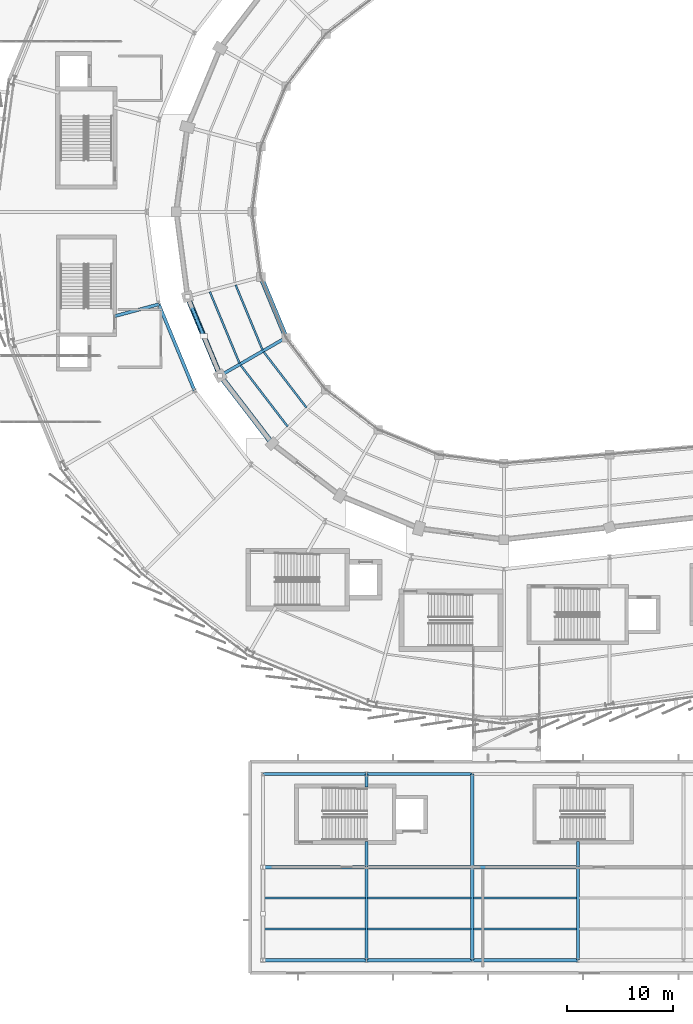
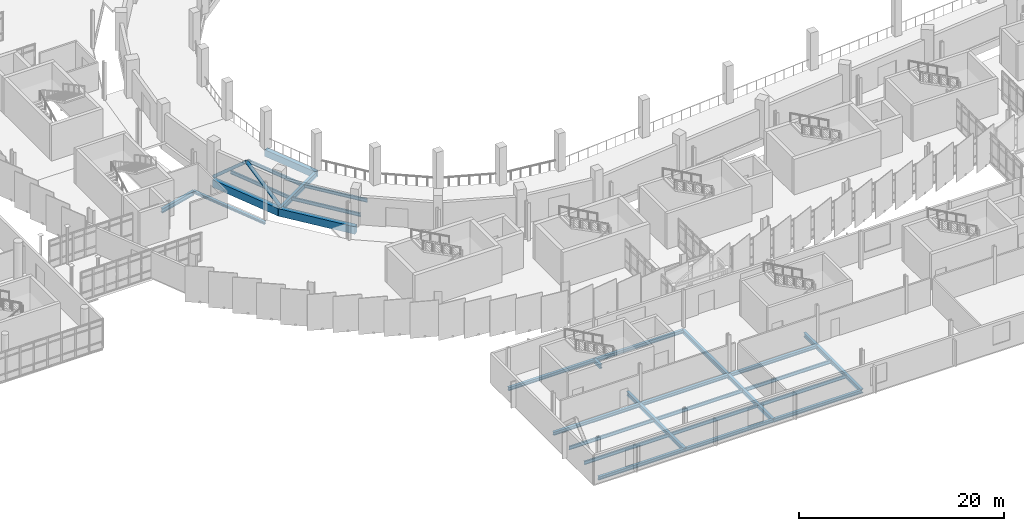
# One storey, part 33 of 125: 31 beams, 2 members.
"""IFC4 building model written with IfcOpenShell, lengths in metres."""

from ifc_helpers import new_model, si_unit, direction, frame, origin, origin_2d, place, context, subcontext, project, spatial, rectangle, hollow_circle, i_section, extrude, material, material_profile, profile_set, type_object, element, save


model = new_model("IFC4")

# Units and contexts
model_context = context("Model", 3, precision=1e-05, world=origin(), true_north=direction((0.0, 1.0)))
body_context = subcontext(model_context, "Body", "Model", "MODEL_VIEW")
ifc_project = project(units=[si_unit("LENGTHUNIT", "METRE"), si_unit("AREAUNIT", "SQUARE_METRE"), si_unit("VOLUMEUNIT", "CUBIC_METRE"), si_unit("PLANEANGLEUNIT", "RADIAN"), si_unit("MASSUNIT", "GRAM", prefix="KILO")], contexts=[model_context])

# Site, building, storey
site_placement = place(None, origin())
site = spatial("IfcSite", under=ifc_project, at=site_placement, CompositionType="ELEMENT")
building_placement = place(site_placement, origin())
building = spatial("IfcBuilding", under=site, at=building_placement, Name="Sohan Crest Arena", CompositionType="ELEMENT")
storey_placement = place(building_placement, frame((0.0, 0.0, 9.0)))
storey = spatial("IfcBuildingStorey", under=building, at=storey_placement, Name="L02", CompositionType="ELEMENT", Elevation=9.0)

# Beams
ifc_material_1 = material(Name="Steel S355", Category="steel")
ifc_material_profile_1 = material_profile(ifc_material_1, i_section(OverallWidth=0.179931640625, OverallDepth=0.39990234375, WebThickness=0.008544921875, FlangeThickness=0.013427734375, at=origin_2d()), Name="IPE 400")
ifc_profile_set_1 = profile_set([ifc_material_profile_1], Name="Steel S355")
beam_type_1 = type_object("IfcBeamType", Name="STR-BM-B03", PredefinedType="JOIST", material=ifc_profile_set_1)
beam_1_placement = place(storey_placement, frame((72.618896484375, 71.0859375, -0.449951171875), z_axis=(0.382711680136, -0.923867831396, 0.0), x_axis=(0.923867831396, 0.382711680136, 0.0)))
element("IfcBeam", 1, at=beam_1_placement, inside=storey, type_object=beam_type_1, Name="Structural beam J-L02-0226", PredefinedType="JOIST", context=body_context, shape_type="SweptSolid", body=[
    extrude(i_section(OverallWidth=0.179931640625, OverallDepth=0.39990234375, WebThickness=0.008544921875, FlangeThickness=0.013427734375, at=origin_2d()), origin(), (0.0, 0.0, 1.0), 6.650390625),
])
beam_2_placement = place(storey_placement, frame((70.18408203125, 70.43408203125, -0.449951171875), z_axis=(0.382800197818, -0.923831158032, 0.0), x_axis=(0.923831158032, 0.382800197818, 0.0)))
element("IfcBeam", 2, at=beam_2_placement, inside=storey, type_object=beam_type_1, Name="Structural beam J-L02-0227", PredefinedType="JOIST", context=body_context, shape_type="SweptSolid", body=[
    extrude(i_section(OverallWidth=0.179931640625, OverallDepth=0.39990234375, WebThickness=0.008544921875, FlangeThickness=0.013427734375, at=origin_2d()), origin(), (0.0, 0.0, 1.0), 7.308837890625),
])
beam_3_placement = place(storey_placement, frame((75.27294921875, 64.7529296875, -0.449951171875), z_axis=(0.608761301523, -0.793353438114, 0.0), x_axis=(0.793353438114, 0.608761301523, 0.0)))
element("IfcBeam", 3, at=beam_3_placement, inside=storey, type_object=beam_type_1, Name="Structural beam J-L02-0248", PredefinedType="JOIST", context=body_context, shape_type="SweptSolid", body=[
    extrude(i_section(OverallWidth=0.179931640625, OverallDepth=0.39990234375, WebThickness=0.008544921875, FlangeThickness=0.013427734375, at=origin_2d()), origin(), (0.0, 0.0, 1.0), 6.6513671875),
])
beam_4_placement = place(storey_placement, frame((73.091064453125, 63.492919921875, -0.449951171875), z_axis=(0.608707802556, -0.793394486436, 0.0), x_axis=(0.793394486436, 0.608707802556, 0.0)))
element("IfcBeam", 4, at=beam_4_placement, inside=storey, type_object=beam_type_1, Name="Structural beam J-L02-0249", PredefinedType="JOIST", context=body_context, shape_type="SweptSolid", body=[
    extrude(i_section(OverallWidth=0.179931640625, OverallDepth=0.39990234375, WebThickness=0.008544921875, FlangeThickness=0.013427734375, at=origin_2d()), origin(), (0.0, 0.0, 1.0), 7.308837890625),
])
for number, where, z_axis, x_axis, name in (
    (5, (75.31005859375, 10.133056640625, -0.449951171875), (1.0, 0.0, 0.0), (0.0, 1.0, 0.0), "Structural beam J-L02-2653"),
    (6, (75.31005859375, 13.06689453125, -0.449951171875), (1.0, 0.0, 0.0), (0.0, 1.0, 0.0), "Structural beam J-L02-2654"),
):
    element("IfcBeam", number, at=place(storey_placement, frame(where, z_axis=z_axis, x_axis=x_axis)), inside=storey, type_object=beam_type_1, Name=name, PredefinedType="JOIST", context=body_context, shape_type="SweptSolid", body=[
        extrude(i_section(OverallWidth=0.179931640625, OverallDepth=0.39990234375, WebThickness=0.008544921875, FlangeThickness=0.013427734375, at=origin_2d()), origin(), (0.0, 0.0, 1.0), 9.579833984375),
    ])
for number, where, z_axis, x_axis, name in (
    (7, (85.110107421875, 10.133056640625, -0.449951171875), (1.0, 0.0, 0.0), (0.0, 1.0, 0.0), "Structural beam J-L02-2656"),
    (8, (85.110107421875, 13.06689453125, -0.449951171875), (1.0, 0.0, 0.0), (0.0, 1.0, 0.0), "Structural beam J-L02-2657"),
    (9, (95.110107421875, 10.133056640625, -0.449951171875), (1.0, 0.0, 0.0), (0.0, 1.0, 0.0), "Structural beam J-L02-2659"),
    (10, (95.110107421875, 13.06689453125, -0.449951171875), (1.0, 0.0, 0.0), (0.0, 1.0, 0.0), "Structural beam J-L02-2660"),
):
    element("IfcBeam", number, at=place(storey_placement, frame(where, z_axis=z_axis, x_axis=x_axis)), inside=storey, type_object=beam_type_1, Name=name, PredefinedType="JOIST", context=body_context, shape_type="SweptSolid", body=[
        extrude(i_section(OverallWidth=0.179931640625, OverallDepth=0.39990234375, WebThickness=0.008544921875, FlangeThickness=0.013427734375, at=origin_2d()), origin(), (0.0, 0.0, 1.0), 9.77978515625),
    ])
ifc_material_profile_2 = material_profile(ifc_material_1, i_section(OverallWidth=0.300048828125, OverallDepth=0.389892578125, WebThickness=0.010986328125, FlangeThickness=0.01904296875, at=origin_2d()), Name="HEA 400")
ifc_profile_set_2 = profile_set([ifc_material_profile_2], Name="Steel S355")
beam_type_2 = type_object("IfcBeamType", Name="STR-BM-B09", PredefinedType="BEAM", material=ifc_profile_set_2)
beam_5_placement = place(storey_placement, frame((75.199951171875, 7.199951171875, -0.445068359375), z_axis=(1.0, 0.0, 0.0), x_axis=(0.0, 1.0, 0.0)))
element("IfcBeam", 11, at=beam_5_placement, inside=storey, type_object=beam_type_2, Name="Structural beam G-L02-2652", PredefinedType="BEAM", context=body_context, shape_type="SweptSolid", body=[
    extrude(i_section(OverallWidth=0.300048828125, OverallDepth=0.389892578125, WebThickness=0.010986328125, FlangeThickness=0.01904296875, at=origin_2d()), origin(), (0.0, 0.0, 1.0), 9.800048828125),
])
for number, where, z_axis, x_axis, name in (
    (12, (85.0, 7.199951171875, -0.445068359375), (1.0, 0.0, 0.0), (0.0, 1.0, 0.0), "Structural beam G-L02-2655"),
    (13, (95.0, 7.199951171875, -0.445068359375), (1.0, 0.0, 0.0), (0.0, 1.0, 0.0), "Structural beam G-L02-2658"),
):
    element("IfcBeam", number, at=place(storey_placement, frame(where, z_axis=z_axis, x_axis=x_axis)), inside=storey, type_object=beam_type_2, Name=name, PredefinedType="BEAM", context=body_context, shape_type="SweptSolid", body=[
        extrude(i_section(OverallWidth=0.300048828125, OverallDepth=0.389892578125, WebThickness=0.010986328125, FlangeThickness=0.01904296875, at=origin_2d()), origin(), (0.0, 0.0, 1.0), 10.0),
    ])
beam_6_placement = place(storey_placement, frame((75.199951171875, 16.0, -0.445068359375), z_axis=(1.0, 0.0, 0.0), x_axis=(0.0, 1.0, 0.0)))
element("IfcBeam", 14, at=beam_6_placement, inside=storey, type_object=beam_type_2, Name="Structural beam G-L02-2679", PredefinedType="BEAM", context=body_context, shape_type="SweptSolid", body=[
    extrude(i_section(OverallWidth=0.300048828125, OverallDepth=0.389892578125, WebThickness=0.010986328125, FlangeThickness=0.01904296875, at=origin_2d()), origin(), (0.0, 0.0, 1.0), 9.800048828125),
])
for number, where, z_axis, x_axis, name in (
    (15, (85.0, 16.0, -0.445068359375), (1.0, 0.0, 0.0), (0.0, 1.0, 0.0), "Structural beam G-L02-2680"),
    (16, (95.0, 16.0, -0.445068359375), (1.0, 0.0, 0.0), (0.0, 1.0, 0.0), "Structural beam G-L02-2681"),
):
    element("IfcBeam", number, at=place(storey_placement, frame(where, z_axis=z_axis, x_axis=x_axis)), inside=storey, type_object=beam_type_2, Name=name, PredefinedType="BEAM", context=body_context, shape_type="SweptSolid", body=[
        extrude(i_section(OverallWidth=0.300048828125, OverallDepth=0.389892578125, WebThickness=0.010986328125, FlangeThickness=0.01904296875, at=origin_2d()), origin(), (0.0, 0.0, 1.0), 10.0),
    ])
beam_7_placement = place(storey_placement, frame((75.199951171875, 24.800048828125, -0.445068359375), z_axis=(1.0, 0.0, 0.0), x_axis=(0.0, 1.0, 0.0)))
element("IfcBeam", 17, at=beam_7_placement, inside=storey, type_object=beam_type_2, Name="Structural beam G-L02-2690", PredefinedType="BEAM", context=body_context, shape_type="SweptSolid", body=[
    extrude(i_section(OverallWidth=0.300048828125, OverallDepth=0.389892578125, WebThickness=0.010986328125, FlangeThickness=0.01904296875, at=origin_2d()), origin(), (0.0, 0.0, 1.0), 9.800048828125),
])
beam_8_placement = place(storey_placement, frame((85.0, 24.800048828125, -0.445068359375), z_axis=(1.0, 0.0, 0.0), x_axis=(0.0, 1.0, 0.0)))
element("IfcBeam", 18, at=beam_8_placement, inside=storey, type_object=beam_type_2, Name="Structural beam G-L02-2691", PredefinedType="BEAM", context=body_context, shape_type="SweptSolid", body=[
    extrude(i_section(OverallWidth=0.300048828125, OverallDepth=0.389892578125, WebThickness=0.010986328125, FlangeThickness=0.01904296875, at=origin_2d()), origin(), (0.0, 0.0, 1.0), 10.0),
])
ifc_material_profile_3 = material_profile(ifc_material_1, i_section(OverallWidth=0.300048828125, OverallDepth=0.489990234375, WebThickness=0.011962890625, FlangeThickness=0.02294921875, at=origin_2d()), Name="HEA 500")
ifc_profile_set_3 = profile_set([ifc_material_profile_3], Name="Steel S355")
beam_type_3 = type_object("IfcBeamType", Name="STR-BM-B10", PredefinedType="BEAM", material=ifc_profile_set_3)
beam_9_placement = place(storey_placement, frame((85.0, 7.199951171875, -0.4951171875), z_axis=(0.0, 1.0, 0.0), x_axis=(-1.0, 0.0, 0.0)))
element("IfcBeam", 19, at=beam_9_placement, inside=storey, type_object=beam_type_3, Name="Structural beam G-L02-2630", PredefinedType="BEAM", context=body_context, shape_type="SweptSolid", body=[
    extrude(i_section(OverallWidth=0.300048828125, OverallDepth=0.489990234375, WebThickness=0.011962890625, FlangeThickness=0.02294921875, at=origin_2d()), origin(), (0.0, 0.0, 1.0), 8.800048828125),
])
beam_10_placement = place(storey_placement, frame((85.0, 16.0, -0.4951171875), z_axis=(0.0, 1.0, 0.0), x_axis=(-1.0, 0.0, 0.0)))
element("IfcBeam", 20, at=beam_10_placement, inside=storey, type_object=beam_type_3, Name="Structural beam G-L02-2631", PredefinedType="BEAM", context=body_context, shape_type="SweptSolid", body=[
    extrude(i_section(OverallWidth=0.300048828125, OverallDepth=0.489990234375, WebThickness=0.011962890625, FlangeThickness=0.02294921875, at=origin_2d()), origin(), (0.0, 0.0, 1.0), 2.419921875),
])
beam_11_placement = place(storey_placement, frame((85.0, 23.580078125, -0.4951171875), z_axis=(0.0, 1.0, 0.0), x_axis=(-1.0, 0.0, 0.0)))
element("IfcBeam", 21, at=beam_11_placement, inside=storey, type_object=beam_type_3, Name="Structural beam G-L02-2632", PredefinedType="BEAM", context=body_context, shape_type="SweptSolid", body=[
    extrude(i_section(OverallWidth=0.300048828125, OverallDepth=0.489990234375, WebThickness=0.011962890625, FlangeThickness=0.02294921875, at=origin_2d()), origin(), (0.0, 0.0, 1.0), 1.219970703125),
])
for number, where, z_axis, x_axis, name in (
    (22, (95.0, 7.199951171875, -0.4951171875), (0.0, 1.0, 0.0), (-1.0, 0.0, 0.0), "Structural beam G-L02-2633"),
    (23, (95.0, 16.0, -0.4951171875), (0.0, 1.0, 0.0), (-1.0, 0.0, 0.0), "Structural beam G-L02-2634"),
    (24, (105.0, 7.199951171875, -0.4951171875), (0.0, 1.0, 0.0), (-1.0, 0.0, 0.0), "Structural beam G-L02-2635"),
):
    element("IfcBeam", number, at=place(storey_placement, frame(where, z_axis=z_axis, x_axis=x_axis)), inside=storey, type_object=beam_type_3, Name=name, PredefinedType="BEAM", context=body_context, shape_type="SweptSolid", body=[
        extrude(i_section(OverallWidth=0.300048828125, OverallDepth=0.489990234375, WebThickness=0.011962890625, FlangeThickness=0.02294921875, at=origin_2d()), origin(), (0.0, 0.0, 1.0), 8.800048828125),
    ])
beam_12_placement = place(storey_placement, frame((105.0, 16.0, -0.4951171875), z_axis=(0.0, 1.0, 0.0), x_axis=(-1.0, 0.0, 0.0)))
element("IfcBeam", 25, at=beam_12_placement, inside=storey, type_object=beam_type_3, Name="Structural beam G-L02-2636", PredefinedType="BEAM", context=body_context, shape_type="SweptSolid", body=[
    extrude(i_section(OverallWidth=0.300048828125, OverallDepth=0.489990234375, WebThickness=0.011962890625, FlangeThickness=0.02294921875, at=origin_2d()), origin(), (0.0, 0.0, 1.0), 2.419921875),
])
ifc_material_profile_4 = material_profile(ifc_material_1, i_section(OverallWidth=0.300048828125, OverallDepth=0.590087890625, WebThickness=0.012939453125, FlangeThickness=0.02490234375, at=origin_2d()), Name="HEA 600")
ifc_profile_set_4 = profile_set([ifc_material_profile_4], Name="Steel S355")
beam_type_4 = type_object("IfcBeamType", Name="STR-BM-B11", PredefinedType="BEAM", material=ifc_profile_set_4)
beam_13_placement = place(storey_placement, frame((77.388916015625, 66.10009765625, -0.544921875), z_axis=(-0.866035395735, -0.499982693035, 0.0), x_axis=(0.499982693035, -0.866035395735, 0.0)))
element("IfcBeam", 26, at=beam_13_placement, inside=storey, type_object=beam_type_4, Name="Structural beam G-L02-0247", PredefinedType="BEAM", context=body_context, shape_type="SweptSolid", body=[
    extrude(i_section(OverallWidth=0.300048828125, OverallDepth=0.590087890625, WebThickness=0.012939453125, FlangeThickness=0.02490234375, at=origin_2d()), origin(), (0.0, 0.0, 1.0), 7.200439453125),
])
ifc_material_profile_5 = material_profile(ifc_material_1, i_section(OverallWidth=0.300048828125, OverallDepth=0.300048828125, WebThickness=0.010986328125, FlangeThickness=0.01904296875, at=origin_2d()), Name="HEB 300")
ifc_profile_set_5 = profile_set([ifc_material_profile_5], Name="Steel S355")
beam_type_5 = type_object("IfcBeamType", Name="STR-BM-B12", PredefinedType="BEAM", material=ifc_profile_set_5)
beam_14_placement = place(storey_placement, frame((65.35205078125, 69.251953125, -0.39990234375), z_axis=(0.38262224111, -0.923904876385, 0.0), x_axis=(0.923904876385, 0.38262224111, 0.0)))
element("IfcBeam", 27, at=beam_14_placement, inside=storey, type_object=beam_type_5, Name="Structural beam G-L02-1274", PredefinedType="BEAM", context=body_context, shape_type="SweptSolid", body=[
    extrude(i_section(OverallWidth=0.300048828125, OverallDepth=0.300048828125, WebThickness=0.010986328125, FlangeThickness=0.01904296875, at=origin_2d()), origin(), (0.0, 0.0, 1.0), 8.8232421875),
])
ifc_material_profile_6 = material_profile(ifc_material_1, i_section(OverallWidth=0.300048828125, OverallDepth=0.5, WebThickness=0.014404296875, FlangeThickness=0.028076171875, at=origin_2d()), Name="HEB 500")
ifc_profile_set_6 = profile_set([ifc_material_profile_6], Name="Steel S355")
beam_type_6 = type_object("IfcBeamType", Name="STR-BM-B14", PredefinedType="BEAM", material=ifc_profile_set_6)
beam_15_placement = place(storey_placement, frame((65.35205078125, 69.251953125, -0.5), z_axis=(-0.965906157738, -0.258892437981, 0.0), x_axis=(0.258892437981, -0.965906157738, 0.0)))
element("IfcBeam", 28, at=beam_15_placement, inside=storey, type_object=beam_type_6, Name="Structural beam G-L02-1272", PredefinedType="BEAM", context=body_context, shape_type="SweptSolid", body=[
    extrude(i_section(OverallWidth=0.300048828125, OverallDepth=0.5, WebThickness=0.014404296875, FlangeThickness=0.028076171875, at=origin_2d()), origin(), (0.0, 0.0, 1.0), 4.4228515625),
])
ifc_material_2 = material(Name="Concrete C40/50", Category="concrete")
ifc_material_profile_7 = material_profile(ifc_material_2, rectangle(XDim=0.449951171875, YDim=0.800048828125, at=origin_2d()), Name="RC-BM 450x800")
ifc_profile_set_7 = profile_set([ifc_material_profile_7], Name="Concrete C40/50")
beam_type_7 = type_object("IfcBeamType", Name="STR-BM-TB02", PredefinedType="BEAM", material=ifc_profile_set_7)
beam_16_placement = place(storey_placement, frame((75.010986328125, 71.840087890625, -0.64990234375), z_axis=(0.382731224457, -0.92385973493, 0.0), x_axis=(0.92385973493, 0.382731224457, 0.0)))
element("IfcBeam", 29, at=beam_16_placement, inside=storey, type_object=beam_type_7, Name="Structural beam TB-L02-0223", PredefinedType="BEAM", context=body_context, shape_type="SweptSolid", body=[
    extrude(rectangle(XDim=0.449951171875, YDim=0.800048828125, at=origin_2d()), origin(), (0.0, 0.0, 1.0), 6.213134765625),
])
ifc_material_profile_8 = material_profile(ifc_material_2, rectangle(XDim=0.5, YDim=0.89990234375, at=origin_2d()), Name="RC-BM 500x900")
ifc_profile_set_8 = profile_set([ifc_material_profile_8], Name="Concrete C40/50")
beam_type_8 = type_object("IfcBeamType", Name="STR-BM-TB03", PredefinedType="BEAM", material=ifc_profile_set_8)
beam_17_placement = place(storey_placement, frame((68.055908203125, 69.97705078125, -0.699951171875), z_axis=(0.382691039498, -0.923876381497, 0.0), x_axis=(0.923876381497, 0.382691039498, 0.0)))
element("IfcBeam", 30, at=beam_17_placement, inside=storey, type_object=beam_type_8, Name="Structural beam TB-L02-0224", PredefinedType="BEAM", context=body_context, shape_type="SweptSolid", body=[
    extrude(rectangle(XDim=0.5, YDim=0.89990234375, at=origin_2d()), origin(), (0.0, 0.0, 1.0), 8.093017578125),
])
beam_18_placement = place(storey_placement, frame((71.153076171875, 62.5, -0.699951171875), z_axis=(0.608825408167, -0.793304243257, 0.0), x_axis=(0.793304243257, 0.608825408167, 0.0)))
element("IfcBeam", 31, at=beam_18_placement, inside=storey, type_object=beam_type_8, Name="Structural beam TB-L02-0246", PredefinedType="BEAM", context=body_context, shape_type="SweptSolid", body=[
    extrude(rectangle(XDim=0.5, YDim=0.89990234375, at=origin_2d()), origin(), (0.0, 0.0, 1.0), 8.092529296875),
])

# Members
ifc_material_profile_9 = material_profile(ifc_material_1, hollow_circle(Radius=0.177734375, WallThickness=0.01611328125, at=origin_2d()), Name="CHS 355.6x16")
ifc_profile_set_9 = profile_set([ifc_material_profile_9], Name="Steel S355")
member_type_1 = type_object("IfcMemberType", Name="STR-MEM-BR04", PredefinedType="BRACE", material=ifc_profile_set_9)
member_1_placement = place(storey_placement, frame((68.055908203125, 69.97705078125, 0.0), z_axis=(0.289545983611, -0.698697959822, 0.654205078179), x_axis=(0.923816031855, 0.38283670055, 0.0)))
element("IfcMember", 32, at=member_1_placement, inside=storey, type_object=member_type_1, Name="Concentric lateral chevron brace BR-013", PredefinedType="BRACE", context=body_context, shape_type="SweptSolid", body=[
    extrude(hollow_circle(Radius=0.177734375, WallThickness=0.01611328125, at=origin_2d()), origin(), (0.0, 0.0, 1.0), 5.35009765625),
])
ifc_material_profile_10 = material_profile(ifc_material_1, hollow_circle(Radius=0.203125, WallThickness=0.01611328125, at=origin_2d()), Name="CHS 406.4x16")
ifc_profile_set_10 = profile_set([ifc_material_profile_10], Name="Steel S355")
member_type_2 = type_object("IfcMemberType", Name="STR-MEM-BR05", PredefinedType="BRACE", material=ifc_profile_set_10)
member_2_placement = place(storey_placement, frame((71.153076171875, 62.5, 0.0), z_axis=(-0.289341830525, 0.698828281736, 0.654156202871), x_axis=(-0.923936700295, -0.382545387958, 0.0)))
element("IfcMember", 33, at=member_2_placement, inside=storey, type_object=member_type_2, Name="Concentric lateral chevron brace BR-014", PredefinedType="BRACE", context=body_context, shape_type="SweptSolid", body=[
    extrude(hollow_circle(Radius=0.203125, WallThickness=0.01611328125, at=origin_2d()), origin(), (0.0, 0.0, 1.0), 5.350341796875),
])

save(model, "model.ifc")
